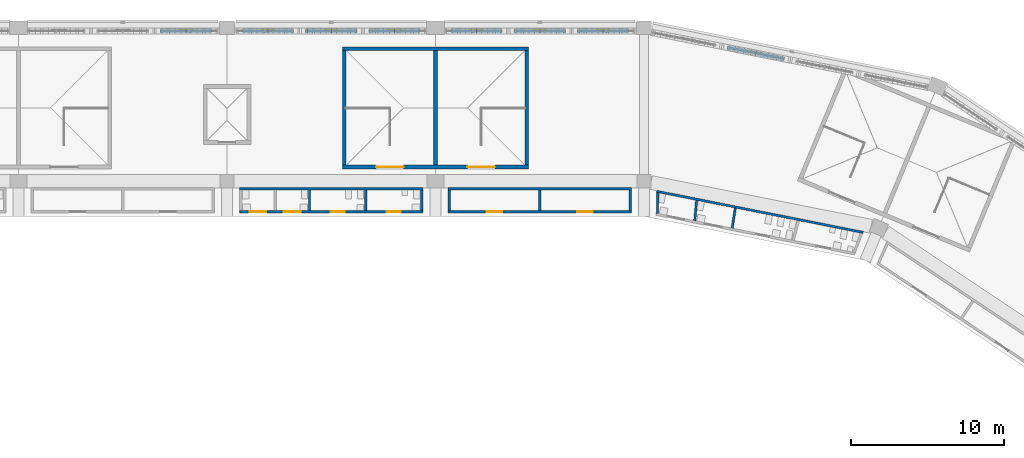
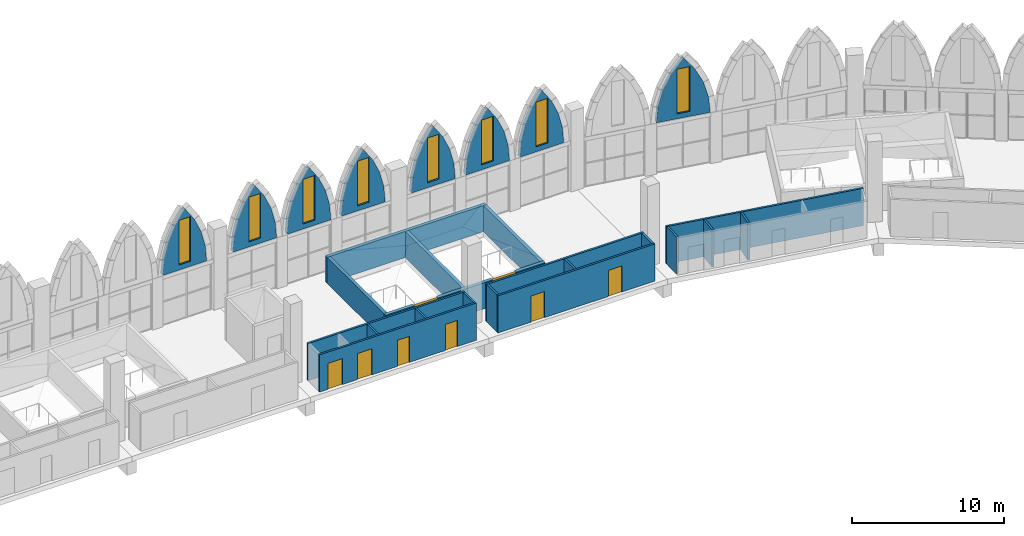
# One storey, part 83 of 130: 27 walls, 8 doors, 8 windows, 16 openings.
"""IFC4 building model written with IfcOpenShell, lengths in metres."""

from ifc_helpers import new_model, si_unit, direction, frame, frame_2d, origin, place, context, subcontext, project, spatial, polyline, rectangle, outline, extrude, material, layer, layer_set, type_object, element, fill, save


model = new_model("IFC4")

# Units and contexts
model_context = context("Model", 3, precision=1e-05, world=origin(), true_north=direction((0.0, 1.0)))
body_context = subcontext(model_context, "Body", "Model", "MODEL_VIEW")
ifc_project = project(units=[si_unit("LENGTHUNIT", "METRE"), si_unit("AREAUNIT", "SQUARE_METRE"), si_unit("VOLUMEUNIT", "CUBIC_METRE"), si_unit("PLANEANGLEUNIT", "RADIAN"), si_unit("MASSUNIT", "GRAM", prefix="KILO")], contexts=[model_context])

# Site, building, storey
site_placement = place(None, origin())
site = spatial("IfcSite", under=ifc_project, at=site_placement, CompositionType="ELEMENT")
building_placement = place(site_placement, origin())
building = spatial("IfcBuilding", under=site, at=building_placement, Name="Ogive Plaza Stadium", CompositionType="ELEMENT")
storey_placement = place(building_placement, frame((0.0, 0.0, 22.5)))
storey = spatial("IfcBuildingStorey", under=building, at=storey_placement, Name="L05", CompositionType="ELEMENT", Elevation=22.5)

# Wall, openings, doors
ifc_material_1 = material(Name="Masonry blockwork", Category="masonry")
ifc_layer_1 = layer(ifc_material_1, 0.14990234375)
ifc_layer_set_1 = layer_set([ifc_layer_1], Name="Blockwork wall 150")
wall_type_1 = type_object("IfcWallType", Name="Blockwork wall 150", PredefinedType="SOLIDWALL", material=ifc_layer_set_1)
wall_1_placement = place(storey_placement, frame((21.22509765625, 90.5, 0.0), z_axis=(0.0, 0.0, 1.0), x_axis=(1.0, 0.0, 0.0)))
wall_1 = element("IfcWall", 1, at=wall_1_placement, inside=storey, type_object=wall_type_1, Name="Wall L05 B36", PredefinedType="SOLIDWALL", context=body_context, shape_type="SweptSolid", body=[
    extrude(rectangle(XDim=11.949951171875, YDim=0.14990234375, at=frame_2d((5.97509765625, 0.0))), origin(), (0.0, 0.0, 1.0), 3.0),
])
opening_1_placement = place(wall_1_placement, frame((2.52490234375, 0.0, 0.0)))
opening_1 = element("IfcOpeningElement", 2, at=opening_1_placement, cuts=wall_1, Name="Opening D1023", PredefinedType="OPENING", context=body_context, shape_type="SweptSolid", body=[
    extrude(rectangle(XDim=1.0, YDim=2.10009765625, at=frame_2d((0.5, 1.050048828125))), frame((0.0, 0.074951171875, 0.0), z_axis=(0.0, -1.0, 0.0), x_axis=(1.0, 0.0, 0.0)), (0.0, 0.0, 1.0), 0.14990234375),
])
opening_2_placement = place(wall_1_placement, frame((8.425048828125, 0.0, 0.0)))
opening_2 = element("IfcOpeningElement", 3, at=opening_2_placement, cuts=wall_1, Name="Opening D1024", PredefinedType="OPENING", context=body_context, shape_type="SweptSolid", body=[
    extrude(rectangle(XDim=1.0, YDim=2.10009765625, at=frame_2d((0.5, 1.050048828125))), frame((0.0, 0.074951171875, 0.0), z_axis=(0.0, -1.0, 0.0), x_axis=(1.0, 0.0, 0.0)), (0.0, 0.0, 1.0), 0.14990234375),
])
ifc_material_2 = material(Name="Steel ASTM A572 Grade 50", Category="steel")
door_type_1 = type_object("IfcDoorType", Name="Door 1000 x 2100", OperationType="SINGLE_SWING_LEFT", PredefinedType="DOOR", material=ifc_material_2)
door_1_placement = place(opening_1_placement, origin())
door_1 = element("IfcDoor", 4, at=door_1_placement, inside=storey, type_object=door_type_1, Name="Concession Stand B36 door", OperationType="SINGLE_SWING_LEFT", OverallHeight=2.10009765625, OverallWidth=1.0, PredefinedType="DOOR", context=body_context, shape_type="SweptSolid", body=[
    extrude(rectangle(XDim=1.0, YDim=2.10009765625, at=frame_2d((0.5, 1.050048828125))), frame((0.0, 0.02490234375, 0.0), z_axis=(0.0, -1.0, 0.0), x_axis=(1.0, 0.0, 0.0)), (0.0, 0.0, 1.0), 0.050048828125),
])
fill(opening_1, door_1)
door_2_placement = place(opening_2_placement, origin())
door_2 = element("IfcDoor", 5, at=door_2_placement, inside=storey, type_object=door_type_1, Name="Concession Stand B36 door", OperationType="SINGLE_SWING_RIGHT", OverallHeight=2.10009765625, OverallWidth=1.0, PredefinedType="DOOR", context=body_context, shape_type="SweptSolid", body=[
    extrude(rectangle(XDim=1.0, YDim=2.10009765625, at=frame_2d((0.5, 1.050048828125))), frame((0.0, 0.02490234375, 0.0), z_axis=(0.0, -1.0, 0.0), x_axis=(1.0, 0.0, 0.0)), (0.0, 0.0, 1.0), 0.050048828125),
])
fill(opening_2, door_2)

# Walls
wall_2_placement = place(storey_placement, frame((21.22509765625, 92.0, 0.0), z_axis=(0.0, 0.0, 1.0), x_axis=(1.0, 0.0, 0.0)))
element("IfcWall", 6, at=wall_2_placement, inside=storey, type_object=wall_type_1, Name="Wall L05 B36", PredefinedType="SOLIDWALL", context=body_context, shape_type="SweptSolid", body=[
    extrude(rectangle(XDim=11.949951171875, YDim=0.14990234375, at=frame_2d((5.97509765625, 0.0))), origin(), (0.0, 0.0, 1.0), 3.0),
])
for number, where, z_axis, x_axis, name in (
    (7, (21.300048828125, 90.574951171875, 0.0), (0.0, 0.0, 1.0), (0.0, 1.0, 0.0), "Wall L05 B36"),
    (8, (27.199951171875, 90.574951171875, 0.0), (0.0, 0.0, 1.0), (0.0, 1.0, 0.0), "Wall L05 B36"),
    (9, (33.10009765625, 90.574951171875, 0.0), (0.0, 0.0, 1.0), (0.0, 1.0, 0.0), "Wall L05 B36"),
):
    element("IfcWall", number, at=place(storey_placement, frame(where, z_axis=z_axis, x_axis=x_axis)), inside=storey, type_object=wall_type_1, Name=name, PredefinedType="SOLIDWALL", context=body_context, shape_type="SweptSolid", body=[
        extrude(rectangle(XDim=1.35009765625, YDim=0.14990234375, at=frame_2d((0.675048828125, 0.0))), origin(), (0.0, 0.0, 1.0), 3.0),
    ])

# Wall, openings, doors
ifc_material_3 = material(Name="Concrete C40/50", Category="concrete")
ifc_layer_2 = layer(ifc_material_3, 0.25)
ifc_layer_set_2 = layer_set([ifc_layer_2], Name="Concrete C40/50")
wall_type_2 = type_object("IfcWallType", Name="Core wall 250", PredefinedType="SHEAR", material=ifc_layer_set_2)
wall_3_placement = place(storey_placement, frame((26.47509765625, 93.425048828125, 0.0), z_axis=(0.0, 0.0, 1.0), x_axis=(-1.0, 0.0, 0.0)))
wall_3 = element("IfcWall", 10, at=wall_3_placement, inside=storey, type_object=wall_type_2, Name="Stair core R36 inner wall", PredefinedType="SHEAR", context=body_context, shape_type="SweptSolid", body=[
    extrude(rectangle(XDim=12.150146484375, YDim=0.25, at=frame_2d((6.0751953125, 0.0))), origin(), (0.0, 0.0, 1.0), 2.10009765625),
])
opening_3_placement = place(wall_3_placement, frame((2.199951171875, 0.0, 0.0)))
opening_3 = element("IfcOpeningElement", 11, at=opening_3_placement, cuts=wall_3, Name="Opening D0271", PredefinedType="OPENING", context=body_context, shape_type="SweptSolid", body=[
    extrude(rectangle(XDim=1.800048828125, YDim=2.10009765625, at=frame_2d((0.89990234375, 1.050048828125))), frame((0.0, 0.125, 0.0), z_axis=(0.0, -1.0, 0.0), x_axis=(1.0, 0.0, 0.0)), (0.0, 0.0, 1.0), 0.25),
])
opening_4_placement = place(wall_3_placement, frame((8.14990234375, 0.0, 0.0)))
opening_4 = element("IfcOpeningElement", 12, at=opening_4_placement, cuts=wall_3, Name="Opening D0272", PredefinedType="OPENING", context=body_context, shape_type="SweptSolid", body=[
    extrude(rectangle(XDim=1.800048828125, YDim=2.10009765625, at=frame_2d((0.89990234375, 1.050048828125))), frame((0.0, 0.125, 0.0), z_axis=(0.0, -1.0, 0.0), x_axis=(1.0, 0.0, 0.0)), (0.0, 0.0, 1.0), 0.25),
])
ifc_material_4 = material(Name="Steel ASTM A572 Grade 50", Category="steel")
door_type_2 = type_object("IfcDoorType", Name="Fire door FD90 pair 1800 x 2100", OperationType="DOUBLE_DOOR_SINGLE_SWING", PredefinedType="DOOR", material=ifc_material_4)
door_3_placement = place(opening_3_placement, origin())
door_3 = element("IfcDoor", 13, at=door_3_placement, inside=storey, type_object=door_type_2, Name="Exit stair R36A door L05", OperationType="DOUBLE_DOOR_SINGLE_SWING", OverallHeight=2.10009765625, OverallWidth=1.800048828125, PredefinedType="DOOR", context=body_context, shape_type="SweptSolid", body=[
    extrude(rectangle(XDim=1.800048828125, YDim=2.10009765625, at=frame_2d((0.89990234375, 1.050048828125))), frame((0.0, 0.02490234375, 0.0), z_axis=(0.0, -1.0, 0.0), x_axis=(1.0, 0.0, 0.0)), (0.0, 0.0, 1.0), 0.050048828125),
])
fill(opening_3, door_3)
door_4_placement = place(opening_4_placement, origin())
door_4 = element("IfcDoor", 14, at=door_4_placement, inside=storey, type_object=door_type_2, Name="Exit stair R36B door L05", OperationType="DOUBLE_DOOR_SINGLE_SWING", OverallHeight=2.10009765625, OverallWidth=1.800048828125, PredefinedType="DOOR", context=body_context, shape_type="SweptSolid", body=[
    extrude(rectangle(XDim=1.800048828125, YDim=2.10009765625, at=frame_2d((0.89990234375, 1.050048828125))), frame((0.0, 0.02490234375, 0.0), z_axis=(0.0, -1.0, 0.0), x_axis=(1.0, 0.0, 0.0)), (0.0, 0.0, 1.0), 0.050048828125),
])
fill(opening_4, door_4)

# Walls
wall_4_placement = place(storey_placement, frame((26.47509765625, 101.135009765625, 0.0), z_axis=(0.0, 0.0, 1.0), x_axis=(-1.0, 0.0, 0.0)))
element("IfcWall", 15, at=wall_4_placement, inside=storey, type_object=wall_type_2, Name="Stair core R36 outer wall", PredefinedType="SHEAR", context=body_context, shape_type="SweptSolid", body=[
    extrude(rectangle(XDim=12.150146484375, YDim=0.25, at=frame_2d((6.0751953125, 0.0))), origin(), (0.0, 0.0, 1.0), 2.10009765625),
])
for number, where, z_axis, x_axis, name in (
    (16, (26.35009765625, 93.550048828125, 0.0), (0.0, 0.0, 1.0), (0.0, 1.0, 0.0), "Stair core R36 side wall"),
    (17, (14.449951171875, 93.550048828125, 0.0), (0.0, 0.0, 1.0), (0.0, 1.0, 0.0), "Stair core R36 side wall"),
    (18, (20.39990234375, 93.550048828125, 0.0), (0.0, 0.0, 1.0), (0.0, 1.0, 0.0), "Stair core R36 centre wall"),
):
    element("IfcWall", number, at=place(storey_placement, frame(where, z_axis=z_axis, x_axis=x_axis)), inside=storey, type_object=wall_type_2, Name=name, PredefinedType="SHEAR", context=body_context, shape_type="SweptSolid", body=[
        extrude(rectangle(XDim=7.4599609375, YDim=0.25, at=frame_2d((3.72998046875, 0.0))), origin(), (0.0, 0.0, 1.0), 2.10009765625),
    ])

# Wall, openings, doors
ifc_material_5 = material(Name="Gypsum board partition", Category="gypsum")
ifc_layer_3 = layer(ifc_material_5, 0.14990234375)
ifc_layer_set_3 = layer_set([ifc_layer_3], Name="Partition 150")
wall_type_3 = type_object("IfcWallType", Name="Partition 150", PredefinedType="PARTITIONING", material=ifc_layer_set_3)
wall_5_placement = place(storey_placement, frame((19.574951171875, 90.5, 0.0), z_axis=(0.0, 0.0, 1.0), x_axis=(-1.0, 0.0, 0.0)))
wall_5 = element("IfcWall", 19, at=wall_5_placement, inside=storey, type_object=wall_type_3, Name="Wall L05 B35", PredefinedType="PARTITIONING", context=body_context, shape_type="SweptSolid", body=[
    extrude(rectangle(XDim=11.949951171875, YDim=0.14990234375, at=frame_2d((5.97509765625, 0.0))), origin(), (0.0, 0.0, 1.0), 3.0),
])
opening_5_placement = place(wall_5_placement, frame((1.4541015625, 0.0, 0.0)))
opening_5 = element("IfcOpeningElement", 20, at=opening_5_placement, cuts=wall_5, Name="Opening D1019", PredefinedType="OPENING", context=body_context, shape_type="SweptSolid", body=[
    extrude(rectangle(XDim=0.89990234375, YDim=2.10009765625, at=frame_2d((0.449951171875, 1.050048828125))), frame((0.0, 0.074951171875, 0.0), z_axis=(0.0, -1.0, 0.0), x_axis=(1.0, 0.0, 0.0)), (0.0, 0.0, 1.0), 0.14990234375),
])
opening_6_placement = place(wall_5_placement, frame((5.112060546875, 0.0, 0.0)))
opening_6 = element("IfcOpeningElement", 21, at=opening_6_placement, cuts=wall_5, Name="Opening D1020", PredefinedType="OPENING", context=body_context, shape_type="SweptSolid", body=[
    extrude(rectangle(XDim=0.89990234375, YDim=2.10009765625, at=frame_2d((0.449951171875, 1.050048828125))), frame((0.0, 0.074951171875, 0.0), z_axis=(0.0, -1.0, 0.0), x_axis=(1.0, 0.0, 0.0)), (0.0, 0.0, 1.0), 0.14990234375),
])
opening_7_placement = place(wall_5_placement, frame((7.9619140625, 0.0, 0.0)))
opening_7 = element("IfcOpeningElement", 22, at=opening_7_placement, cuts=wall_5, Name="Opening D1021", PredefinedType="OPENING", context=body_context, shape_type="SweptSolid", body=[
    extrude(rectangle(XDim=1.10009765625, YDim=2.10009765625, at=frame_2d((0.550048828125, 1.050048828125))), frame((0.0, 0.074951171875, 0.0), z_axis=(0.0, -1.0, 0.0), x_axis=(1.0, 0.0, 0.0)), (0.0, 0.0, 1.0), 0.14990234375),
])
opening_8_placement = place(wall_5_placement, frame((10.2041015625, 0.0, 0.0)))
opening_8 = element("IfcOpeningElement", 23, at=opening_8_placement, cuts=wall_5, Name="Opening D1022", PredefinedType="OPENING", context=body_context, shape_type="SweptSolid", body=[
    extrude(rectangle(XDim=1.10009765625, YDim=2.10009765625, at=frame_2d((0.550048828125, 1.050048828125))), frame((0.0, 0.074951171875, 0.0), z_axis=(0.0, -1.0, 0.0), x_axis=(1.0, 0.0, 0.0)), (0.0, 0.0, 1.0), 0.14990234375),
])
ifc_material_6 = material(Name="Steel ASTM A572 Grade 50", Category="steel")
door_type_3 = type_object("IfcDoorType", Name="Accessible door 1100 x 2100", OperationType="SINGLE_SWING_LEFT", PredefinedType="DOOR", material=ifc_material_6)
door_5_placement = place(opening_7_placement, origin())
door_5 = element("IfcDoor", 24, at=door_5_placement, inside=storey, type_object=door_type_3, Name="Accessible WC B35 door", OperationType="SINGLE_SWING_RIGHT", OverallHeight=2.10009765625, OverallWidth=1.10009765625, PredefinedType="DOOR", context=body_context, shape_type="SweptSolid", body=[
    extrude(rectangle(XDim=1.10009765625, YDim=2.10009765625, at=frame_2d((0.550048828125, 1.050048828125))), frame((0.0, 0.02490234375, 0.0), z_axis=(0.0, -1.0, 0.0), x_axis=(1.0, 0.0, 0.0)), (0.0, 0.0, 1.0), 0.050048828125),
])
fill(opening_7, door_5)
door_6_placement = place(opening_8_placement, origin())
door_6 = element("IfcDoor", 25, at=door_6_placement, inside=storey, type_object=door_type_3, Name="Family WC B35 door", OperationType="SINGLE_SWING_LEFT", OverallHeight=2.10009765625, OverallWidth=1.10009765625, PredefinedType="DOOR", context=body_context, shape_type="SweptSolid", body=[
    extrude(rectangle(XDim=1.10009765625, YDim=2.10009765625, at=frame_2d((0.550048828125, 1.050048828125))), frame((0.0, 0.02490234375, 0.0), z_axis=(0.0, -1.0, 0.0), x_axis=(1.0, 0.0, 0.0)), (0.0, 0.0, 1.0), 0.050048828125),
])
fill(opening_8, door_6)
ifc_material_7 = material(Name="Steel ASTM A572 Grade 50", Category="steel")
door_type_4 = type_object("IfcDoorType", Name="Door 900 x 2100", OperationType="SINGLE_SWING_LEFT", PredefinedType="DOOR", material=ifc_material_7)
door_7_placement = place(opening_5_placement, origin())
door_7 = element("IfcDoor", 26, at=door_7_placement, inside=storey, type_object=door_type_4, Name="Men's Toilet B35 door", OperationType="SINGLE_SWING_RIGHT", OverallHeight=2.10009765625, OverallWidth=0.89990234375, PredefinedType="DOOR", context=body_context, shape_type="SweptSolid", body=[
    extrude(rectangle(XDim=0.89990234375, YDim=2.10009765625, at=frame_2d((0.449951171875, 1.050048828125))), frame((0.0, 0.02490234375, 0.0), z_axis=(0.0, -1.0, 0.0), x_axis=(1.0, 0.0, 0.0)), (0.0, 0.0, 1.0), 0.050048828125),
])
fill(opening_5, door_7)
door_8_placement = place(opening_6_placement, origin())
door_8 = element("IfcDoor", 27, at=door_8_placement, inside=storey, type_object=door_type_4, Name="Women's Toilet B35 door", OperationType="SINGLE_SWING_LEFT", OverallHeight=2.10009765625, OverallWidth=0.89990234375, PredefinedType="DOOR", context=body_context, shape_type="SweptSolid", body=[
    extrude(rectangle(XDim=0.89990234375, YDim=2.10009765625, at=frame_2d((0.449951171875, 1.050048828125))), frame((0.0, 0.02490234375, 0.0), z_axis=(0.0, -1.0, 0.0), x_axis=(1.0, 0.0, 0.0)), (0.0, 0.0, 1.0), 0.050048828125),
])
fill(opening_6, door_8)

# Walls
wall_6_placement = place(storey_placement, frame((19.574951171875, 92.0, 0.0), z_axis=(0.0, 0.0, 1.0), x_axis=(-1.0, 0.0, 0.0)))
element("IfcWall", 28, at=wall_6_placement, inside=storey, type_object=wall_type_3, Name="Wall L05 B35", PredefinedType="PARTITIONING", context=body_context, shape_type="SweptSolid", body=[
    extrude(rectangle(XDim=11.949951171875, YDim=0.14990234375, at=frame_2d((5.97509765625, 0.0))), origin(), (0.0, 0.0, 1.0), 3.0),
])
for number, where, z_axis, x_axis, name in (
    (29, (19.5, 90.574951171875, 0.0), (0.0, 0.0, 1.0), (0.0, 1.0, 0.0), "Wall L05 B35"),
    (30, (15.842041015625, 90.574951171875, 0.0), (0.0, 0.0, 1.0), (0.0, 1.0, 0.0), "Wall L05 B35"),
    (31, (12.18408203125, 90.574951171875, 0.0), (0.0, 0.0, 1.0), (0.0, 1.0, 0.0), "Wall L05 B35"),
):
    element("IfcWall", number, at=place(storey_placement, frame(where, z_axis=z_axis, x_axis=x_axis)), inside=storey, type_object=wall_type_3, Name=name, PredefinedType="PARTITIONING", context=body_context, shape_type="SweptSolid", body=[
        extrude(rectangle(XDim=1.35009765625, YDim=0.14990234375, at=frame_2d((0.675048828125, 0.0))), origin(), (0.0, 0.0, 1.0), 3.0),
    ])
wall_7_placement = place(storey_placement, frame((48.291259765625, 89.1572265625, 0.0), z_axis=(0.0, 0.0, 1.0), x_axis=(-0.980784624689, 0.195093618486, 0.0)))
element("IfcWall", 32, at=wall_7_placement, inside=storey, type_object=wall_type_3, Name="Wall L05 B37", PredefinedType="PARTITIONING", context=body_context, shape_type="SweptSolid", body=[
    extrude(rectangle(XDim=13.73046875, YDim=0.14990234375, at=frame_2d((6.865234375, 0.0))), origin(), (0.0, 0.0, 1.0), 3.0),
])
wall_8_placement = place(storey_placement, frame((39.7451171875, 89.43212890625, 0.0), z_axis=(0.0, 0.0, 1.0), x_axis=(0.153635060885, 0.988127657779, 0.0)))
element("IfcWall", 33, at=wall_8_placement, inside=storey, type_object=wall_type_3, Name="Wall L05 B37", PredefinedType="PARTITIONING", context=body_context, shape_type="SweptSolid", body=[
    extrude(rectangle(XDim=1.3251953125, YDim=0.14990234375, at=frame_2d((0.66259765625, 0.0))), origin(), (0.0, 0.0, 1.0), 3.0),
])
wall_9_placement = place(storey_placement, frame((37.30615234375, 89.91748046875, 0.0), z_axis=(0.0, 0.0, 1.0), x_axis=(0.087990108073, 0.996121348472, 0.0)))
element("IfcWall", 34, at=wall_9_placement, inside=storey, type_object=wall_type_3, Name="Wall L05 B37", PredefinedType="PARTITIONING", context=body_context, shape_type="SweptSolid", body=[
    extrude(rectangle(XDim=1.331787109375, YDim=0.14990234375, at=frame_2d((0.666015625, 0.0))), origin(), (0.0, 0.0, 1.0), 3.0),
])
wall_10_placement = place(storey_placement, frame((34.867431640625, 90.402587890625, 0.0), z_axis=(0.0, 0.0, 1.0), x_axis=(0.022886445666, 0.999738070999, 0.0)))
element("IfcWall", 35, at=wall_10_placement, inside=storey, type_object=wall_type_3, Name="Wall L05 B37", PredefinedType="PARTITIONING", context=body_context, shape_type="SweptSolid", body=[
    extrude(rectangle(XDim=1.343994140625, YDim=0.14990234375, at=frame_2d((0.671875, 0.0))), origin(), (0.0, 0.0, 1.0), 3.0),
])

# Wall, opening, window
ifc_material_8 = material(Name="Concrete C45/55 precast", Category="concrete")
ifc_layer_4 = layer(ifc_material_8, 0.25)
ifc_material_9 = material(Name="Cast stone (reconstituted limestone)", Category="masonry")
ifc_layer_5 = layer(ifc_material_9, 0.050048828125)
ifc_layer_set_4 = layer_set([ifc_layer_4, ifc_layer_5], Name="Concrete C45/55 precast, cast stone facing")
wall_type_4 = type_object("IfcWallType", Name="Tympanum wall 300", PredefinedType="SOLIDWALL", material=ifc_layer_set_4)
wall_11_placement = place(storey_placement, frame((2.466552734375, 102.300048828125, 4.10009765625), z_axis=(0.0, 0.0, 1.0), x_axis=(1.0, 0.0, 0.0)))
wall_11 = element("IfcWall", 36, at=wall_11_placement, inside=storey, type_object=wall_type_4, Name="TYMPANUM B34 3", PredefinedType="SOLIDWALL", context=body_context, shape_type="SweptSolid", body=[
    extrude(outline(polyline([(0.0, 0.0), (3.33349609375, 0.0), (3.333251953125, 0.0498046875), (3.225341796875, 1.2880859375), (2.90478515625, 2.54052734375), (2.38037109375, 3.721923828125), (1.666748046875, 4.7998046875), (0.952880859375, 3.721923828125), (0.428466796875, 2.54052734375), (0.10791015625, 1.2880859375), (0.0, 0.0498046875), (0.0, 0.0)])), frame((0.0, 0.14990234375, 0.0), z_axis=(0.0, -1.0, 0.0), x_axis=(1.0, 0.0, 0.0)), (0.0, 0.0, 1.0), 0.300048828125),
])
opening_9_placement = place(wall_11_placement, frame((1.216552734375, 0.0, 0.39990234375)))
opening_9 = element("IfcOpeningElement", 37, at=opening_9_placement, cuts=wall_11, Name="Opening W-34-3", PredefinedType="OPENING", context=body_context, shape_type="SweptSolid", body=[
    extrude(rectangle(XDim=0.89990234375, YDim=3.60009765625, at=frame_2d((0.449951171875, 1.800048828125))), frame((0.0, 0.16015625, 0.0), z_axis=(0.0, -1.0, 0.0), x_axis=(1.0, 0.0, 0.0)), (0.0, 0.0, 1.0), 0.320068359375),
])
ifc_material_10 = material(Name="Bronze-anodised aluminium and laminated glass", Category="aluminium")
window_type = type_object("IfcWindowType", Name="Lancet window 900 x 3600", PartitioningType="SINGLE_PANEL", PredefinedType="WINDOW", material=ifc_material_10)
window_1_placement = place(opening_9_placement, origin())
window_1 = element("IfcWindow", 38, at=window_1_placement, inside=storey, type_object=window_type, Name="LANCET WINDOW B34 3", OverallHeight=3.60009765625, OverallWidth=0.89990234375, PartitioningType="SINGLE_PANEL", PredefinedType="WINDOW", context=body_context, shape_type="SweptSolid", body=[
    extrude(rectangle(XDim=0.89990234375, YDim=3.60009765625, at=frame_2d((0.449951171875, 1.800048828125))), frame((0.0, 0.030029296875, 0.0), z_axis=(0.0, -1.0, 0.0), x_axis=(1.0, 0.0, 0.0)), (0.0, 0.0, 1.0), 0.06005859375),
])
fill(opening_9, window_1)

wall_12_placement = place(storey_placement, frame((7.800048828125, 102.300048828125, 4.10009765625), z_axis=(0.0, 0.0, 1.0), x_axis=(1.0, 0.0, 0.0)))
wall_12 = element("IfcWall", 39, at=wall_12_placement, inside=storey, type_object=wall_type_4, Name="TYMPANUM B35 1", PredefinedType="SOLIDWALL", context=body_context, shape_type="SweptSolid", body=[
    extrude(outline(polyline([(0.0, 0.0), (3.333251953125, 0.0), (3.333251953125, 0.0498046875), (3.225341796875, 1.2880859375), (2.90478515625, 2.54052734375), (2.38037109375, 3.721923828125), (1.666748046875, 4.7998046875), (0.952880859375, 3.721923828125), (0.428466796875, 2.54052734375), (0.10791015625, 1.2880859375), (0.0, 0.0498046875), (0.0, 0.0)])), frame((0.0, 0.14990234375, 0.0), z_axis=(0.0, -1.0, 0.0), x_axis=(1.0, 0.0, 0.0)), (0.0, 0.0, 1.0), 0.300048828125),
])
opening_10_placement = place(wall_12_placement, frame((1.216552734375, 0.0, 0.39990234375)))
opening_10 = element("IfcOpeningElement", 40, at=opening_10_placement, cuts=wall_12, Name="Opening W-35-1", PredefinedType="OPENING", context=body_context, shape_type="SweptSolid", body=[
    extrude(rectangle(XDim=0.89990234375, YDim=3.60009765625, at=frame_2d((0.449951171875, 1.800048828125))), frame((0.0, 0.16015625, 0.0), z_axis=(0.0, -1.0, 0.0), x_axis=(1.0, 0.0, 0.0)), (0.0, 0.0, 1.0), 0.320068359375),
])
window_2_placement = place(opening_10_placement, origin())
window_2 = element("IfcWindow", 41, at=window_2_placement, inside=storey, type_object=window_type, Name="LANCET WINDOW B35 1", OverallHeight=3.60009765625, OverallWidth=0.89990234375, PartitioningType="SINGLE_PANEL", PredefinedType="WINDOW", context=body_context, shape_type="SweptSolid", body=[
    extrude(rectangle(XDim=0.89990234375, YDim=3.60009765625, at=frame_2d((0.449951171875, 1.800048828125))), frame((0.0, 0.030029296875, 0.0), z_axis=(0.0, -1.0, 0.0), x_axis=(1.0, 0.0, 0.0)), (0.0, 0.0, 1.0), 0.06005859375),
])
fill(opening_10, window_2)

wall_13_placement = place(storey_placement, frame((11.933349609375, 102.300048828125, 4.10009765625), z_axis=(0.0, 0.0, 1.0), x_axis=(1.0, 0.0, 0.0)))
wall_13 = element("IfcWall", 42, at=wall_13_placement, inside=storey, type_object=wall_type_4, Name="TYMPANUM B35 2", PredefinedType="SOLIDWALL", context=body_context, shape_type="SweptSolid", body=[
    extrude(outline(polyline([(0.0, 0.0), (3.333251953125, 0.0), (3.333251953125, 0.0498046875), (3.225341796875, 1.2880859375), (2.90478515625, 2.54052734375), (2.38037109375, 3.721923828125), (1.666748046875, 4.7998046875), (0.952880859375, 3.721923828125), (0.428466796875, 2.54052734375), (0.10791015625, 1.2880859375), (0.0, 0.0498046875), (0.0, 0.0)])), frame((0.0, 0.14990234375, 0.0), z_axis=(0.0, -1.0, 0.0), x_axis=(1.0, 0.0, 0.0)), (0.0, 0.0, 1.0), 0.300048828125),
])
opening_11_placement = place(wall_13_placement, frame((1.216552734375, 0.0, 0.39990234375)))
opening_11 = element("IfcOpeningElement", 43, at=opening_11_placement, cuts=wall_13, Name="Opening W-35-2", PredefinedType="OPENING", context=body_context, shape_type="SweptSolid", body=[
    extrude(rectangle(XDim=0.89990234375, YDim=3.60009765625, at=frame_2d((0.449951171875, 1.800048828125))), frame((0.0, 0.16015625, 0.0), z_axis=(0.0, -1.0, 0.0), x_axis=(1.0, 0.0, 0.0)), (0.0, 0.0, 1.0), 0.320068359375),
])
window_3_placement = place(opening_11_placement, origin())
window_3 = element("IfcWindow", 44, at=window_3_placement, inside=storey, type_object=window_type, Name="LANCET WINDOW B35 2", OverallHeight=3.60009765625, OverallWidth=0.89990234375, PartitioningType="SINGLE_PANEL", PredefinedType="WINDOW", context=body_context, shape_type="SweptSolid", body=[
    extrude(rectangle(XDim=0.89990234375, YDim=3.60009765625, at=frame_2d((0.449951171875, 1.800048828125))), frame((0.0, 0.030029296875, 0.0), z_axis=(0.0, -1.0, 0.0), x_axis=(1.0, 0.0, 0.0)), (0.0, 0.0, 1.0), 0.06005859375),
])
fill(opening_11, window_3)

wall_14_placement = place(storey_placement, frame((16.066650390625, 102.300048828125, 4.10009765625), z_axis=(0.0, 0.0, 1.0), x_axis=(1.0, 0.0, 0.0)))
wall_14 = element("IfcWall", 45, at=wall_14_placement, inside=storey, type_object=wall_type_4, Name="TYMPANUM B35 3", PredefinedType="SOLIDWALL", context=body_context, shape_type="SweptSolid", body=[
    extrude(outline(polyline([(0.0, 0.0), (3.333251953125, 0.0), (3.333251953125, 0.0498046875), (3.225341796875, 1.2880859375), (2.90478515625, 2.54052734375), (2.38037109375, 3.721923828125), (1.666748046875, 4.7998046875), (0.952880859375, 3.721923828125), (0.428466796875, 2.54052734375), (0.10791015625, 1.2880859375), (0.0, 0.0498046875), (0.0, 0.0)])), frame((0.0, 0.14990234375, 0.0), z_axis=(0.0, -1.0, 0.0), x_axis=(1.0, 0.0, 0.0)), (0.0, 0.0, 1.0), 0.300048828125),
])
opening_12_placement = place(wall_14_placement, frame((1.216552734375, 0.0, 0.39990234375)))
opening_12 = element("IfcOpeningElement", 46, at=opening_12_placement, cuts=wall_14, Name="Opening W-35-3", PredefinedType="OPENING", context=body_context, shape_type="SweptSolid", body=[
    extrude(rectangle(XDim=0.89990234375, YDim=3.60009765625, at=frame_2d((0.449951171875, 1.800048828125))), frame((0.0, 0.16015625, 0.0), z_axis=(0.0, -1.0, 0.0), x_axis=(1.0, 0.0, 0.0)), (0.0, 0.0, 1.0), 0.320068359375),
])
window_4_placement = place(opening_12_placement, origin())
window_4 = element("IfcWindow", 47, at=window_4_placement, inside=storey, type_object=window_type, Name="LANCET WINDOW B35 3", OverallHeight=3.60009765625, OverallWidth=0.89990234375, PartitioningType="SINGLE_PANEL", PredefinedType="WINDOW", context=body_context, shape_type="SweptSolid", body=[
    extrude(rectangle(XDim=0.89990234375, YDim=3.60009765625, at=frame_2d((0.449951171875, 1.800048828125))), frame((0.0, 0.030029296875, 0.0), z_axis=(0.0, -1.0, 0.0), x_axis=(1.0, 0.0, 0.0)), (0.0, 0.0, 1.0), 0.06005859375),
])
fill(opening_12, window_4)

wall_15_placement = place(storey_placement, frame((21.39990234375, 102.300048828125, 4.10009765625), z_axis=(0.0, 0.0, 1.0), x_axis=(1.0, 0.0, 0.0)))
wall_15 = element("IfcWall", 48, at=wall_15_placement, inside=storey, type_object=wall_type_4, Name="TYMPANUM B36 1", PredefinedType="SOLIDWALL", context=body_context, shape_type="SweptSolid", body=[
    extrude(outline(polyline([(0.0, 0.0), (3.33349609375, 0.0), (3.333251953125, 0.0498046875), (3.225341796875, 1.2880859375), (2.90478515625, 2.54052734375), (2.38037109375, 3.721923828125), (1.666748046875, 4.7998046875), (0.952880859375, 3.721923828125), (0.428466796875, 2.54052734375), (0.10791015625, 1.2880859375), (0.0, 0.0498046875), (0.0, 0.0)])), frame((0.0, 0.14990234375, 0.0), z_axis=(0.0, -1.0, 0.0), x_axis=(1.0, 0.0, 0.0)), (0.0, 0.0, 1.0), 0.300048828125),
])
opening_13_placement = place(wall_15_placement, frame((1.216552734375, 0.0, 0.39990234375)))
opening_13 = element("IfcOpeningElement", 49, at=opening_13_placement, cuts=wall_15, Name="Opening W-36-1", PredefinedType="OPENING", context=body_context, shape_type="SweptSolid", body=[
    extrude(rectangle(XDim=0.89990234375, YDim=3.60009765625, at=frame_2d((0.449951171875, 1.800048828125))), frame((0.0, 0.16015625, 0.0), z_axis=(0.0, -1.0, 0.0), x_axis=(1.0, 0.0, 0.0)), (0.0, 0.0, 1.0), 0.320068359375),
])
window_5_placement = place(opening_13_placement, origin())
window_5 = element("IfcWindow", 50, at=window_5_placement, inside=storey, type_object=window_type, Name="LANCET WINDOW B36 1", OverallHeight=3.60009765625, OverallWidth=0.89990234375, PartitioningType="SINGLE_PANEL", PredefinedType="WINDOW", context=body_context, shape_type="SweptSolid", body=[
    extrude(rectangle(XDim=0.89990234375, YDim=3.60009765625, at=frame_2d((0.449951171875, 1.800048828125))), frame((0.0, 0.030029296875, 0.0), z_axis=(0.0, -1.0, 0.0), x_axis=(1.0, 0.0, 0.0)), (0.0, 0.0, 1.0), 0.06005859375),
])
fill(opening_13, window_5)

wall_16_placement = place(storey_placement, frame((25.533447265625, 102.300048828125, 4.10009765625), z_axis=(0.0, 0.0, 1.0), x_axis=(1.0, 0.0, 0.0)))
wall_16 = element("IfcWall", 51, at=wall_16_placement, inside=storey, type_object=wall_type_4, Name="TYMPANUM B36 2", PredefinedType="SOLIDWALL", context=body_context, shape_type="SweptSolid", body=[
    extrude(outline(polyline([(0.0, 0.0), (3.333251953125, 0.0), (3.333251953125, 0.0498046875), (3.225341796875, 1.2880859375), (2.90478515625, 2.54052734375), (2.38037109375, 3.721923828125), (1.666748046875, 4.7998046875), (0.952880859375, 3.721923828125), (0.428466796875, 2.54052734375), (0.10791015625, 1.2880859375), (0.0, 0.0498046875), (0.0, 0.0)])), frame((0.0, 0.14990234375, 0.0), z_axis=(0.0, -1.0, 0.0), x_axis=(1.0, 0.0, 0.0)), (0.0, 0.0, 1.0), 0.300048828125),
])
opening_14_placement = place(wall_16_placement, frame((1.216552734375, 0.0, 0.39990234375)))
opening_14 = element("IfcOpeningElement", 52, at=opening_14_placement, cuts=wall_16, Name="Opening W-36-2", PredefinedType="OPENING", context=body_context, shape_type="SweptSolid", body=[
    extrude(rectangle(XDim=0.89990234375, YDim=3.60009765625, at=frame_2d((0.449951171875, 1.800048828125))), frame((0.0, 0.16015625, 0.0), z_axis=(0.0, -1.0, 0.0), x_axis=(1.0, 0.0, 0.0)), (0.0, 0.0, 1.0), 0.320068359375),
])
window_6_placement = place(opening_14_placement, origin())
window_6 = element("IfcWindow", 53, at=window_6_placement, inside=storey, type_object=window_type, Name="LANCET WINDOW B36 2", OverallHeight=3.60009765625, OverallWidth=0.89990234375, PartitioningType="SINGLE_PANEL", PredefinedType="WINDOW", context=body_context, shape_type="SweptSolid", body=[
    extrude(rectangle(XDim=0.89990234375, YDim=3.60009765625, at=frame_2d((0.449951171875, 1.800048828125))), frame((0.0, 0.030029296875, 0.0), z_axis=(0.0, -1.0, 0.0), x_axis=(1.0, 0.0, 0.0)), (0.0, 0.0, 1.0), 0.06005859375),
])
fill(opening_14, window_6)

wall_17_placement = place(storey_placement, frame((29.666748046875, 102.300048828125, 4.10009765625), z_axis=(0.0, 0.0, 1.0), x_axis=(1.0, 0.0, 0.0)))
wall_17 = element("IfcWall", 54, at=wall_17_placement, inside=storey, type_object=wall_type_4, Name="TYMPANUM B36 3", PredefinedType="SOLIDWALL", context=body_context, shape_type="SweptSolid", body=[
    extrude(outline(polyline([(0.0, 0.0), (3.333251953125, 0.0), (3.333251953125, 0.0498046875), (3.225341796875, 1.2880859375), (2.90478515625, 2.54052734375), (2.38037109375, 3.721923828125), (1.666748046875, 4.7998046875), (0.952880859375, 3.721923828125), (0.428466796875, 2.54052734375), (0.10791015625, 1.2880859375), (0.0, 0.0498046875), (0.0, 0.0)])), frame((0.0, 0.14990234375, 0.0), z_axis=(0.0, -1.0, 0.0), x_axis=(1.0, 0.0, 0.0)), (0.0, 0.0, 1.0), 0.300048828125),
])
opening_15_placement = place(wall_17_placement, frame((1.216552734375, 0.0, 0.39990234375)))
opening_15 = element("IfcOpeningElement", 55, at=opening_15_placement, cuts=wall_17, Name="Opening W-36-3", PredefinedType="OPENING", context=body_context, shape_type="SweptSolid", body=[
    extrude(rectangle(XDim=0.89990234375, YDim=3.60009765625, at=frame_2d((0.449951171875, 1.800048828125))), frame((0.0, 0.16015625, 0.0), z_axis=(0.0, -1.0, 0.0), x_axis=(1.0, 0.0, 0.0)), (0.0, 0.0, 1.0), 0.320068359375),
])
window_7_placement = place(opening_15_placement, origin())
window_7 = element("IfcWindow", 56, at=window_7_placement, inside=storey, type_object=window_type, Name="LANCET WINDOW B36 3", OverallHeight=3.60009765625, OverallWidth=0.89990234375, PartitioningType="SINGLE_PANEL", PredefinedType="WINDOW", context=body_context, shape_type="SweptSolid", body=[
    extrude(rectangle(XDim=0.89990234375, YDim=3.60009765625, at=frame_2d((0.449951171875, 1.800048828125))), frame((0.0, 0.030029296875, 0.0), z_axis=(0.0, -1.0, 0.0), x_axis=(1.0, 0.0, 0.0)), (0.0, 0.0, 1.0), 0.06005859375),
])
fill(opening_15, window_7)

wall_18_placement = place(storey_placement, frame((39.450927734375, 101.2119140625, 4.10009765625), z_axis=(0.0, 0.0, 1.0), x_axis=(0.980775137592, -0.195141306446, 0.0)))
wall_18 = element("IfcWall", 57, at=wall_18_placement, inside=storey, type_object=wall_type_4, Name="TYMPANUM B37 2", PredefinedType="SOLIDWALL", context=body_context, shape_type="SweptSolid", body=[
    extrude(outline(polyline([(0.0, 0.0), (3.757080078125, 0.0), (3.757080078125, 0.0498046875), (3.634521484375, 1.311279296875), (3.270751953125, 2.5771484375), (2.678466796875, 3.753662109375), (1.878662109375, 4.7998046875), (1.07861328125, 3.753662109375), (0.486328125, 2.5771484375), (0.12255859375, 1.311279296875), (0.0, 0.0498046875), (0.0, 0.0)])), frame((0.0, 0.14990234375, 0.0), z_axis=(0.0, -1.0, 0.0), x_axis=(1.0, 0.0, 0.0)), (0.0, 0.0, 1.0), 0.300048828125),
])
opening_16_placement = place(wall_18_placement, frame((1.428466796875, 0.0, 0.39990234375)))
opening_16 = element("IfcOpeningElement", 58, at=opening_16_placement, cuts=wall_18, Name="Opening W-37-2", PredefinedType="OPENING", context=body_context, shape_type="SweptSolid", body=[
    extrude(rectangle(XDim=0.89990234375, YDim=3.60009765625, at=frame_2d((0.449951171875, 1.800048828125))), frame((0.0, 0.16015625, 0.0), z_axis=(0.0, -1.0, 0.0), x_axis=(1.0, 0.0, 0.0)), (0.0, 0.0, 1.0), 0.320068359375),
])
window_8_placement = place(opening_16_placement, origin())
window_8 = element("IfcWindow", 59, at=window_8_placement, inside=storey, type_object=window_type, Name="LANCET WINDOW B37 2", OverallHeight=3.60009765625, OverallWidth=0.89990234375, PartitioningType="SINGLE_PANEL", PredefinedType="WINDOW", context=body_context, shape_type="SweptSolid", body=[
    extrude(rectangle(XDim=0.89990234375, YDim=3.60009765625, at=frame_2d((0.449951171875, 1.800048828125))), frame((0.0, 0.030029296875, 0.0), z_axis=(0.0, -1.0, 0.0), x_axis=(1.0, 0.0, 0.0)), (0.0, 0.0, 1.0), 0.06005859375),
])
fill(opening_16, window_8)

save(model, "model.ifc")
